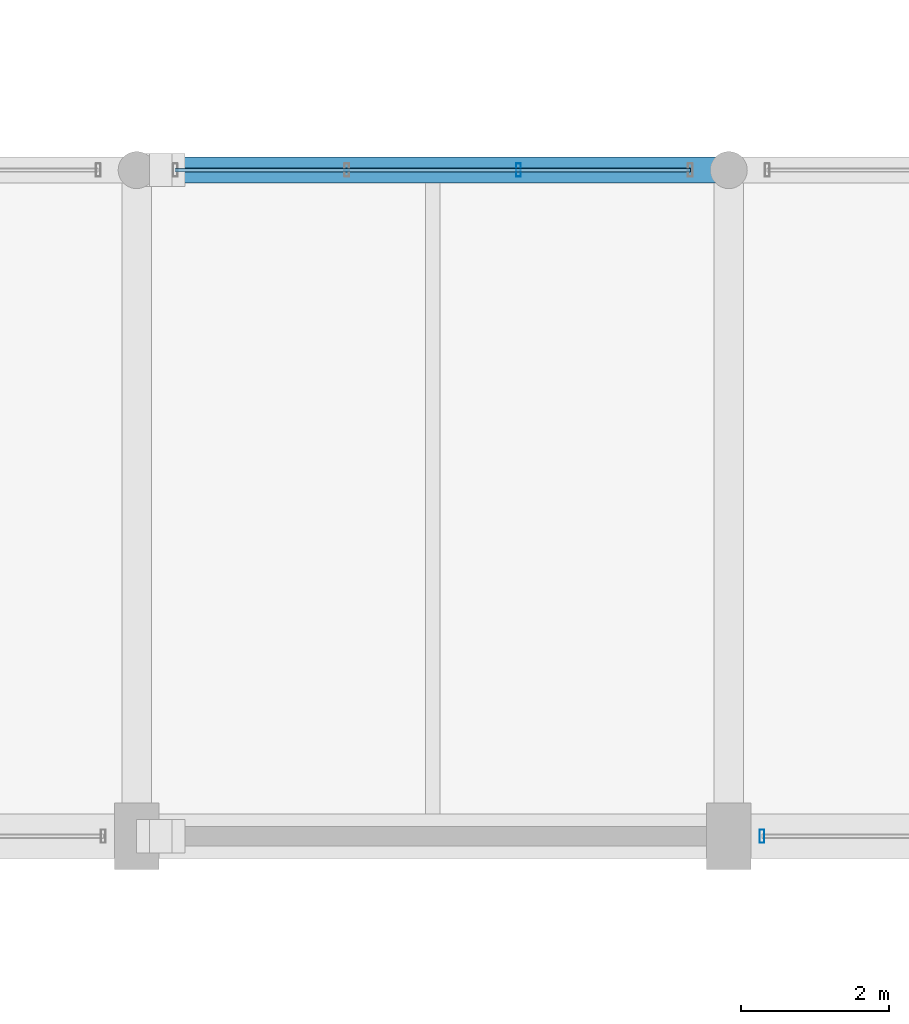
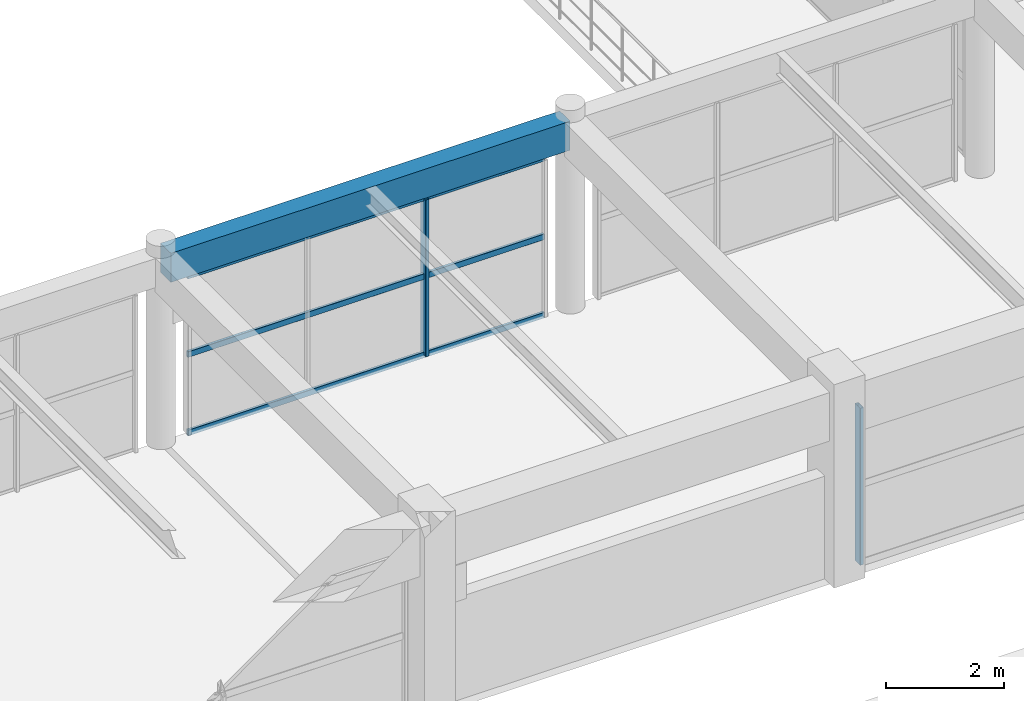
# One storey, part 47 of 126: 5 members, 1 beam, 2 elements without a shape of their own.
"""IFC4 building model written with IfcOpenShell, lengths in metres."""

from ifc_helpers import new_model, si_unit, direction, frame, origin, origin_2d, place, context, subcontext, project, spatial, rectangle, hollow_rectangle, extrude, material, material_profile, profile_set, type_object, element, aggregate, save


model = new_model("IFC4")

# Units and contexts
model_context = context("Model", 3, precision=1e-05, world=origin(), true_north=direction((0.0, 1.0)))
body_context = subcontext(model_context, "Body", "Model", "MODEL_VIEW")
ifc_project = project(units=[si_unit("LENGTHUNIT", "METRE"), si_unit("AREAUNIT", "SQUARE_METRE"), si_unit("VOLUMEUNIT", "CUBIC_METRE"), si_unit("PLANEANGLEUNIT", "RADIAN"), si_unit("MASSUNIT", "GRAM", prefix="KILO")], contexts=[model_context])

# Site, building, storey
site_placement = place(None, origin())
site = spatial("IfcSite", under=ifc_project, at=site_placement, CompositionType="ELEMENT")
building_placement = place(site_placement, origin())
building = spatial("IfcBuilding", under=site, at=building_placement, Name="Varnabhumi Central Station", CompositionType="ELEMENT")
storey_placement = place(building_placement, frame((0.0, 0.0, 16.199951171875)))
storey = spatial("IfcBuildingStorey", under=building, at=storey_placement, Name="L03", CompositionType="ELEMENT", Elevation=16.199951171875)

# Beam
ifc_material_1 = material(Name="Concrete M40", Category="concrete")
ifc_material_profile_1 = material_profile(ifc_material_1, rectangle(XDim=0.35009765625, YDim=0.60009765625, at=origin_2d()), Name="Concrete M40", Category="concrete")
ifc_profile_set_1 = profile_set([ifc_material_profile_1], Name="Concrete M40")
beam_type = type_object("IfcBeamType", Name="BM-RC-350x600", PredefinedType="BEAM", material=ifc_profile_set_1)
beam_placement = place(storey_placement, frame((64.10009765625, 89.0, 3.650146484375), z_axis=(1.0, 0.0, 0.0), x_axis=(0.0, 1.0, 0.0)))
element("IfcBeam", 1, at=beam_placement, inside=storey, type_object=beam_type, Name="Beam L03-L:9-10", PredefinedType="BEAM", context=body_context, shape_type="SweptSolid", body=[
    extrude(rectangle(XDim=0.35009765625, YDim=0.60009765625, at=origin_2d()), origin(), (0.0, 0.0, 1.0), 7.7998046875),
])

# Curtain wall, member
ifc_material_2 = material(Name="Anodised aluminium 6063-T6", Category="aluminium")
curtain_wall_type_1 = type_object("IfcCurtainWallType", Name="CW-SPINE-SCREEN-L0", PredefinedType="NOTDEFINED", material=ifc_material_2)
curtain_wall_1_placement = place(storey_placement, origin())
curtain_wall_1 = element("IfcCurtainWall", 2, at=curtain_wall_1_placement, inside=storey, type_object=curtain_wall_type_1, Name="Curtain Wall CW-NS306", PredefinedType="NOTDEFINED")
ifc_material_profile_2 = material_profile(ifc_material_2, hollow_rectangle(XDim=0.06494140625, YDim=0.179931640625, WallThickness=0.00390625, InnerFilletRadius=0.001953125, OuterFilletRadius=0.006103515625, at=origin_2d()), Name="Anodised aluminium 6063-T6", Category="aluminium")
ifc_profile_set_2 = profile_set([ifc_material_profile_2], Name="Anodised aluminium 6063-T6")
member_type_1 = type_object("IfcMemberType", Name="CW-MUL-180", PredefinedType="MULLION", material=ifc_profile_set_2)
member_1_placement = place(storey_placement, frame((72.449951171875, 80.0, 0.0), z_axis=(0.0, 0.0, 1.0), x_axis=(1.0, 0.0, 0.0)))
member_1 = element("IfcMember", 3, at=member_1_placement, type_object=member_type_1, Name="Curtain Wall Mullion CW-NS306-M1", PredefinedType="MULLION", context=body_context, shape_type="SweptSolid", body=[
    extrude(hollow_rectangle(XDim=0.06494140625, YDim=0.179931640625, WallThickness=0.00390625, InnerFilletRadius=0.001953125, OuterFilletRadius=0.006103515625, at=origin_2d()), origin(), (0.0, 0.0, 1.0), 3.239990234375),
])
aggregate(curtain_wall_1, [member_1])

# Curtain wall, members
curtain_wall_type_2 = type_object("IfcCurtainWallType", Name="CW-PATIO-LOGGIA-L3", PredefinedType="NOTDEFINED", material=ifc_material_2)
curtain_wall_2_placement = place(storey_placement, origin())
curtain_wall_2 = element("IfcCurtainWall", 4, at=curtain_wall_2_placement, inside=storey, type_object=curtain_wall_type_2, Name="Curtain Wall CW-NP3S3", PredefinedType="NOTDEFINED")
member_2_placement = place(storey_placement, frame((69.159912109375, 89.0, 0.0), z_axis=(0.0, 0.0, 1.0), x_axis=(1.0, 0.0, 0.0)))
member_2 = element("IfcMember", 5, at=member_2_placement, type_object=member_type_1, Name="Curtain Wall Mullion CW-NP3S3-M3", PredefinedType="MULLION", context=body_context, shape_type="SweptSolid", body=[
    extrude(hollow_rectangle(XDim=0.06494140625, YDim=0.179931640625, WallThickness=0.00390625, InnerFilletRadius=0.001953125, OuterFilletRadius=0.006103515625, at=origin_2d()), origin(), (0.0, 0.0, 1.0), 3.239990234375),
])
ifc_material_profile_3 = material_profile(ifc_material_2, hollow_rectangle(XDim=0.054931640625, YDim=0.1201171875, WallThickness=0.00341796875, InnerFilletRadius=0.00146484375, OuterFilletRadius=0.0048828125, at=origin_2d()), Name="Anodised aluminium 6063-T6", Category="aluminium")
ifc_profile_set_3 = profile_set([ifc_material_profile_3], Name="Anodised aluminium 6063-T6")
member_type_2 = type_object("IfcMemberType", Name="CW-TR-120", PredefinedType="USERDEFINED", material=ifc_profile_set_3)
member_3_placement = place(storey_placement, frame((64.52001953125, 89.0, 0.0), z_axis=(1.0, 0.0, 0.0), x_axis=(0.0, 1.0, 0.0)))
member_3 = element("IfcMember", 6, at=member_3_placement, type_object=member_type_2, Name="Curtain Wall Transom CW-NP3S3-T1", ObjectType="TRANSOM", PredefinedType="USERDEFINED", context=body_context, shape_type="SweptSolid", body=[
    extrude(hollow_rectangle(XDim=0.054931640625, YDim=0.1201171875, WallThickness=0.00341796875, InnerFilletRadius=0.00146484375, OuterFilletRadius=0.0048828125, at=origin_2d()), origin(), (0.0, 0.0, 1.0), 6.9599609375),
])
member_4_placement = place(storey_placement, frame((64.52001953125, 89.0, 1.6201171875), z_axis=(1.0, 0.0, 0.0), x_axis=(0.0, 1.0, 0.0)))
member_4 = element("IfcMember", 7, at=member_4_placement, type_object=member_type_2, Name="Curtain Wall Transom CW-NP3S3-T2", ObjectType="TRANSOM", PredefinedType="USERDEFINED", context=body_context, shape_type="SweptSolid", body=[
    extrude(hollow_rectangle(XDim=0.054931640625, YDim=0.1201171875, WallThickness=0.00341796875, InnerFilletRadius=0.00146484375, OuterFilletRadius=0.0048828125, at=origin_2d()), origin(), (0.0, 0.0, 1.0), 6.9599609375),
])
member_5_placement = place(storey_placement, frame((64.52001953125, 89.0, 3.239990234375), z_axis=(1.0, 0.0, 0.0), x_axis=(0.0, 1.0, 0.0)))
member_5 = element("IfcMember", 8, at=member_5_placement, type_object=member_type_2, Name="Curtain Wall Transom CW-NP3S3-T3", ObjectType="TRANSOM", PredefinedType="USERDEFINED", context=body_context, shape_type="SweptSolid", body=[
    extrude(hollow_rectangle(XDim=0.054931640625, YDim=0.1201171875, WallThickness=0.00341796875, InnerFilletRadius=0.00146484375, OuterFilletRadius=0.0048828125, at=origin_2d()), origin(), (0.0, 0.0, 1.0), 6.9599609375),
])
aggregate(curtain_wall_2, [member_2, member_3, member_4, member_5])

save(model, "model.ifc")
